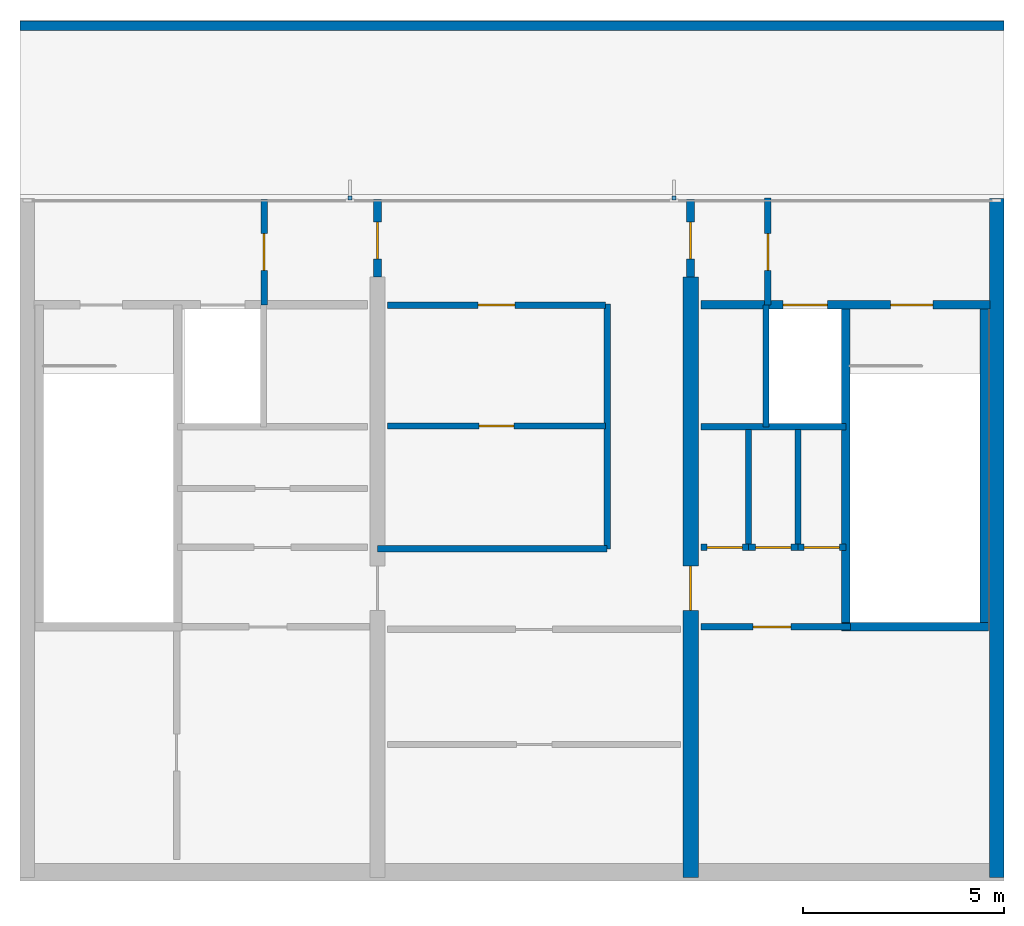
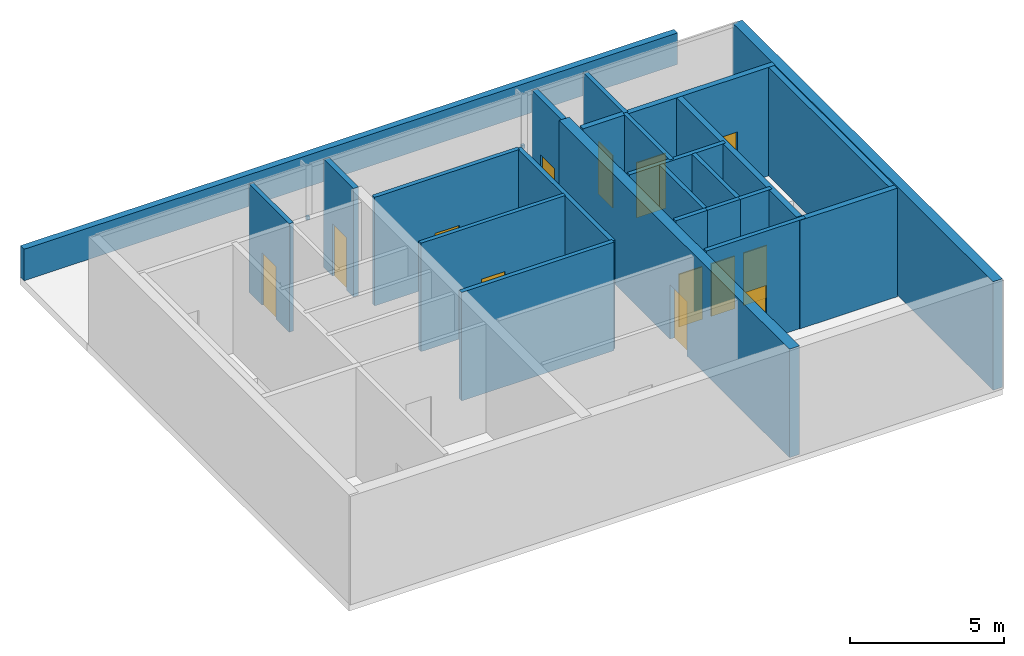
# One storey, part 2 of 3: 23 walls, 13 doors, 2 discrete accessories, 13 openings.
"""IFC4 building model written with IfcOpenShell, lengths in metres."""

from ifc_helpers import new_model, si_unit, direction, frame, frame_2d, origin, place, context, subcontext, project, spatial, polyline, rectangle, outline, extrude, material, layer, layer_set, type_object, element, fill, save


model = new_model("IFC4")

# Units and contexts
model_context = context("Model", 3, precision=1e-05, world=origin(), true_north=direction((0.0, 1.0)))
body_context = subcontext(model_context, "Body", "Model", "MODEL_VIEW")
ifc_project = project(units=[si_unit("LENGTHUNIT", "METRE"), si_unit("AREAUNIT", "SQUARE_METRE"), si_unit("VOLUMEUNIT", "CUBIC_METRE"), si_unit("PLANEANGLEUNIT", "RADIAN"), si_unit("MASSUNIT", "GRAM", prefix="KILO")], contexts=[model_context])

# Site, building, storey
site_placement = place(None, origin())
site = spatial("IfcSite", under=ifc_project, at=site_placement, CompositionType="ELEMENT")
building_placement = place(site_placement, origin())
building = spatial("IfcBuilding", under=site, at=building_placement, Name="Qalmaran Belvedere Hotel", CompositionType="ELEMENT")
storey_placement = place(building_placement, frame((0.0, 0.0, 317.10009765625)))
storey = spatial("IfcBuildingStorey", under=building, at=storey_placement, Name="C05", CompositionType="ELEMENT", Elevation=317.10009765625)

# Wall, opening, door
ifc_material_1 = material(Name="Concrete C50/60", Category="concrete")
ifc_layer_1 = layer(ifc_material_1, 0.3798828125, Name="Concrete C50/60")
ifc_layer_set_1 = layer_set([ifc_layer_1], Name="Concrete C50/60")
wall_type_1 = type_object("IfcWallType", Name="WL-CORE-380-C50", PredefinedType="SHEAR", material=ifc_layer_set_1)
wall_1_placement = place(storey_placement, frame((37.0, 3.5, 0.0), z_axis=(0.0, 0.0, 1.0), x_axis=(0.0, 1.0, 0.0)))
wall_1 = element("IfcWall", 1, at=wall_1_placement, inside=storey, type_object=wall_type_1, Name="C05 Core East Spine Shear Wall", PredefinedType="SHEAR", context=body_context, shape_type="SweptSolid", body=[
    extrude(rectangle(XDim=14.949951171875, YDim=0.3798828125, at=frame_2d((7.47509765625, 0.0))), origin(), (0.0, 0.0, 1.0), 4.2998046875),
])
opening_1_placement = place(wall_1_placement, frame((6.64990234375, 0.0, 0.0)))
opening_1 = element("IfcOpeningElement", 2, at=opening_1_placement, cuts=wall_1, Name="Opening FD90", PredefinedType="OPENING", context=body_context, shape_type="SweptSolid", body=[
    extrude(rectangle(XDim=1.10009765625, YDim=2.14990234375, at=frame_2d((0.550048828125, 1.074951171875))), frame((0.0, 0.199951171875, 0.0), z_axis=(0.0, -1.0, 0.0), x_axis=(1.0, 0.0, 0.0)), (0.0, 0.0, 1.0), 0.39990234375),
])
ifc_material_2 = material(Name="Steel S355JR", Category="steel")
door_type_1 = type_object("IfcDoorType", Name="DR-FD90-1100X2150", OperationType="NOTDEFINED", PredefinedType="DOOR", material=ifc_material_2)
door_1_placement = place(opening_1_placement, origin())
door_1 = element("IfcDoor", 3, at=door_1_placement, inside=storey, type_object=door_type_1, Name="C05 Core East Cross-Lobby Door", OperationType="SINGLE_SWING_RIGHT", OverallHeight=2.14990234375, OverallWidth=1.10009765625, PredefinedType="DOOR", context=body_context, shape_type="SweptSolid", body=[
    extrude(rectangle(XDim=1.10009765625, YDim=2.14990234375, at=frame_2d((0.550048828125, 1.074951171875))), frame((0.0, 0.02490234375, 0.0), z_axis=(0.0, -1.0, 0.0), x_axis=(1.0, 0.0, 0.0)), (0.0, 0.0, 1.0), 0.050048828125),
])
fill(opening_1, door_1)

# Walls
ifc_layer_2 = layer(ifc_material_1, 0.360107421875, Name="Concrete C50/60")
ifc_layer_set_2 = layer_set([ifc_layer_2], Name="Concrete C50/60")
wall_type_2 = type_object("IfcWallType", Name="WL-COREWE-360-EXT", PredefinedType="SHEAR", material=ifc_layer_set_2)
wall_2_placement = place(storey_placement, frame((44.6201171875, 3.5, 0.0), z_axis=(0.0, 0.0, 1.0), x_axis=(0.0, 1.0, 0.0)))
element("IfcWall", 4, at=wall_2_placement, inside=storey, type_object=wall_type_2, Name="C05 East Core Shear Wall", PredefinedType="SHEAR", context=body_context, shape_type="SweptSolid", body=[
    extrude(rectangle(XDim=16.89990234375, YDim=0.360107421875, at=frame_2d((8.449951171875, 0.0))), origin(), (0.0, 0.0, 1.0), 4.2998046875),
])
ifc_material_3 = material(Name="Gypsum Stud Partition")
ifc_layer_3 = layer(ifc_material_3, 0.14990234375, Name="Gypsum Stud Partition")
ifc_layer_set_3 = layer_set([ifc_layer_3], Name="Gypsum Stud Partition")
wall_type_3 = type_object("IfcWallType", Name="WL-INT-150-EI120", PredefinedType="PARTITIONING", material=ifc_layer_set_3)
wall_3_placement = place(storey_placement, frame((38.8798828125, 14.719970703125, 0.0), z_axis=(0.0, 0.0, 1.0), x_axis=(0.0, 1.0, 0.0)))
element("IfcWall", 5, at=wall_3_placement, inside=storey, type_object=wall_type_3, Name="C05 Partition WL-FF2M-C05", PredefinedType="PARTITIONING", context=body_context, shape_type="SweptSolid", body=[
    extrude(rectangle(XDim=3.0400390625, YDim=0.14990234375, at=frame_2d((1.52001953125, 0.0))), origin(), (0.0, 0.0, 1.0), 4.2998046875),
])
ifc_layer_4 = layer(ifc_material_3, 0.14990234375, Name="Gypsum Stud Partition")
ifc_layer_set_4 = layer_set([ifc_layer_4], Name="Gypsum Stud Partition")
wall_type_4 = type_object("IfcWallType", Name="WL-INT-150-EI60", PredefinedType="PARTITIONING", material=ifc_layer_set_4)
for number, where, z_axis, x_axis, name in (
    (6, (38.44140625, 11.719970703125, 0.0), (0.0, 0.0, 1.0), (0.0, 1.0, 0.0), "C05 Partition WL-C05-KEV1"),
    (7, (39.668701171875, 11.719970703125, 0.0), (0.0, 0.0, 1.0), (0.0, 1.0, 0.0), "C05 Partition WL-C05-KEV2"),
):
    element("IfcWall", number, at=place(storey_placement, frame(where, z_axis=z_axis, x_axis=x_axis)), inside=storey, type_object=wall_type_4, Name=name, PredefinedType="PARTITIONING", context=body_context, shape_type="SweptSolid", body=[
        extrude(rectangle(XDim=2.929931640625, YDim=0.14990234375, at=frame_2d((1.46484375, 0.0))), origin(), (0.0, 0.0, 1.0), 4.2998046875),
    ])

# Wall, opening, door
wall_4_placement = place(storey_placement, frame((29.449951171875, 14.7451171875, 0.0), z_axis=(0.0, 0.0, 1.0), x_axis=(1.0, 0.0, 0.0)))
wall_4 = element("IfcWall", 8, at=wall_4_placement, inside=storey, type_object=wall_type_4, Name="C05 Partition WL-C05-KPMHM", PredefinedType="PARTITIONING", context=body_context, shape_type="SweptSolid", body=[
    extrude(rectangle(XDim=5.429931640625, YDim=0.14990234375, at=frame_2d((2.71484375, 0.0))), origin(), (0.0, 0.0, 1.0), 4.2998046875),
])
opening_2_placement = place(wall_4_placement, frame((3.15478515625, 0.0, 0.0), z_axis=(0.0, 0.0, 1.0), x_axis=(-1.0, 0.0, 0.0)))
opening_2 = element("IfcOpeningElement", 9, at=opening_2_placement, cuts=wall_4, Name="Opening FD60B", PredefinedType="OPENING", context=body_context, shape_type="SweptSolid", body=[
    extrude(rectangle(XDim=0.8798828125, YDim=2.080078125, at=frame_2d((0.43994140625, 1.0400390625))), frame((0.0, 0.0849609375, 0.0), z_axis=(0.0, -1.0, 0.0), x_axis=(1.0, 0.0, 0.0)), (0.0, 0.0, 1.0), 0.169921875),
])
door_type_2 = type_object("IfcDoorType", Name="DR-FD60B-880X2080", OperationType="NOTDEFINED", PredefinedType="DOOR", material=ifc_material_2)
door_2_placement = place(opening_2_placement, origin())
door_2 = element("IfcDoor", 10, at=door_2_placement, inside=storey, type_object=door_type_2, Name="C05 Telecom UPS Plant Room Door", OperationType="SINGLE_SWING_RIGHT", OverallHeight=2.080078125, OverallWidth=0.8798828125, PredefinedType="DOOR", context=body_context, shape_type="SweptSolid", body=[
    extrude(rectangle(XDim=0.8798828125, YDim=2.080078125, at=frame_2d((0.43994140625, 1.0400390625))), frame((0.0, 0.02490234375, 0.0), z_axis=(0.0, -1.0, 0.0), x_axis=(1.0, 0.0, 0.0)), (0.0, 0.0, 1.0), 0.050048828125),
])
fill(opening_2, door_2)

ifc_layer_5 = layer(ifc_material_3, 0.159912109375, Name="Gypsum Stud Partition")
ifc_layer_set_5 = layer_set([ifc_layer_5], Name="Gypsum Stud Partition")
wall_type_5 = type_object("IfcWallType", Name="WL-INT-160-EI120", PredefinedType="PARTITIONING", material=ifc_layer_set_5)
wall_5_placement = place(storey_placement, frame((38.919921875, 17.760009765625, 0.0), z_axis=(0.0, 0.0, 1.0), x_axis=(0.0, 1.0, 0.0)))
wall_5 = element("IfcWall", 11, at=wall_5_placement, inside=storey, type_object=wall_type_5, Name="C05 Partition WL-FFSV2-C05", PredefinedType="PARTITIONING", context=body_context, shape_type="SweptSolid", body=[
    extrude(rectangle(XDim=2.659912109375, YDim=0.159912109375, at=frame_2d((1.330078125, 0.0))), origin(), (0.0, 0.0, 1.0), 4.2998046875),
])
opening_3_placement = place(wall_5_placement, frame((1.77001953125, 0.0, 0.0), z_axis=(0.0, 0.0, 1.0), x_axis=(-1.0, 0.0, 0.0)))
opening_3 = element("IfcOpeningElement", 12, at=opening_3_placement, cuts=wall_5, Name="Opening FD60S1", PredefinedType="OPENING", context=body_context, shape_type="SweptSolid", body=[
    extrude(rectangle(XDim=0.919921875, YDim=2.080078125, at=frame_2d((0.4599609375, 1.0400390625))), frame((0.0, 0.08984375, 0.0), z_axis=(0.0, -1.0, 0.0), x_axis=(1.0, 0.0, 0.0)), (0.0, 0.0, 1.0), 0.179931640625),
])
ifc_material_4 = material(Name="Engineered Oak Veneer")
door_type_3 = type_object("IfcDoorType", Name="DR-FD60S-920X2080", OperationType="NOTDEFINED", PredefinedType="DOOR", material=ifc_material_4)
door_3_placement = place(opening_3_placement, origin())
door_3 = element("IfcDoor", 13, at=door_3_placement, inside=storey, type_object=door_type_3, Name="C05 Service Lobby East Door", OperationType="SINGLE_SWING_LEFT", OverallHeight=2.080078125, OverallWidth=0.919921875, PredefinedType="DOOR", context=body_context, shape_type="SweptSolid", body=[
    extrude(rectangle(XDim=0.919921875, YDim=2.080078125, at=frame_2d((0.4599609375, 1.0400390625))), frame((0.0, 0.02490234375, 0.0), z_axis=(0.0, -1.0, 0.0), x_axis=(1.0, 0.0, 0.0)), (0.0, 0.0, 1.0), 0.050048828125),
])
fill(opening_3, door_3)

# Wall
wall_6_placement = place(storey_placement, frame((37.25, 14.719970703125, 0.0), z_axis=(0.0, 0.0, 1.0), x_axis=(1.0, 0.0, 0.0)))
element("IfcWall", 14, at=wall_6_placement, inside=storey, type_object=wall_type_5, Name="C05 Partition WL-FF2S-C05", PredefinedType="PARTITIONING", context=body_context, shape_type="SweptSolid", body=[
    extrude(rectangle(XDim=3.610107421875, YDim=0.159912109375, at=frame_2d((1.80517578125, 0.0))), origin(), (0.0, 0.0, 1.0), 4.2998046875),
])

# Wall, opening, door
wall_7_placement = place(storey_placement, frame((26.3798828125, 17.760009765625, 0.0), z_axis=(0.0, 0.0, 1.0), x_axis=(0.0, 1.0, 0.0)))
wall_7 = element("IfcWall", 15, at=wall_7_placement, inside=storey, type_object=wall_type_5, Name="C05 Partition WL-C05-SV1FF", PredefinedType="PARTITIONING", context=body_context, shape_type="SweptSolid", body=[
    extrude(rectangle(XDim=2.619873046875, YDim=0.159912109375, at=frame_2d((1.31005859375, 0.0))), origin(), (0.0, 0.0, 1.0), 4.2998046875),
])
opening_4_placement = place(wall_7_placement, frame((0.85009765625, 0.0, 0.0)))
opening_4 = element("IfcOpeningElement", 16, at=opening_4_placement, cuts=wall_7, Name="Opening FD60S1", PredefinedType="OPENING", context=body_context, shape_type="SweptSolid", body=[
    extrude(rectangle(XDim=0.919921875, YDim=2.080078125, at=frame_2d((0.4599609375, 1.0400390625))), frame((0.0, 0.08984375, 0.0), z_axis=(0.0, -1.0, 0.0), x_axis=(1.0, 0.0, 0.0)), (0.0, 0.0, 1.0), 0.179931640625),
])
door_4_placement = place(opening_4_placement, origin())
door_4 = element("IfcDoor", 17, at=door_4_placement, inside=storey, type_object=door_type_3, Name="C05 West Service Link Door", OperationType="SINGLE_SWING_RIGHT", OverallHeight=2.080078125, OverallWidth=0.919921875, PredefinedType="DOOR", context=body_context, shape_type="SweptSolid", body=[
    extrude(rectangle(XDim=0.919921875, YDim=2.080078125, at=frame_2d((0.4599609375, 1.0400390625))), frame((0.0, 0.02490234375, 0.0), z_axis=(0.0, -1.0, 0.0), x_axis=(1.0, 0.0, 0.0)), (0.0, 0.0, 1.0), 0.050048828125),
])
fill(opening_4, door_4)

ifc_layer_6 = layer(ifc_material_3, 0.159912109375, Name="Gypsum Stud Partition")
ifc_layer_set_6 = layer_set([ifc_layer_6], Name="Gypsum Stud Partition")
wall_type_6 = type_object("IfcWallType", Name="WL-INT-160-EI60", PredefinedType="PARTITIONING", material=ifc_layer_set_6)
wall_8_placement = place(storey_placement, frame((37.25, 11.719970703125, 0.0), z_axis=(0.0, 0.0, 1.0), x_axis=(1.0, 0.0, 0.0)))
wall_8 = element("IfcWall", 18, at=wall_8_placement, inside=storey, type_object=wall_type_6, Name="C05 Partition WL-C05-KEE1", PredefinedType="PARTITIONING", context=body_context, shape_type="SweptSolid", body=[
    extrude(rectangle(XDim=1.19140625, YDim=0.159912109375, at=frame_2d((0.595703125, 0.0))), origin(), (0.0, 0.0, 1.0), 4.2998046875),
])
opening_5_placement = place(wall_8_placement, frame((0.155517578125, 0.0, 0.0)))
opening_5 = element("IfcOpeningElement", 19, at=opening_5_placement, cuts=wall_8, Name="Opening FD60B", PredefinedType="OPENING", context=body_context, shape_type="SweptSolid", body=[
    extrude(rectangle(XDim=0.8798828125, YDim=2.080078125, at=frame_2d((0.43994140625, 1.0400390625))), frame((0.0, 0.08984375, 0.0), z_axis=(0.0, -1.0, 0.0), x_axis=(1.0, 0.0, 0.0)), (0.0, 0.0, 1.0), 0.179931640625),
])
door_5_placement = place(opening_5_placement, origin())
door_5 = element("IfcDoor", 20, at=door_5_placement, inside=storey, type_object=door_type_2, Name="C05 Fire Main Valve Plant Room Door", OperationType="SINGLE_SWING_LEFT", OverallHeight=2.080078125, OverallWidth=0.8798828125, PredefinedType="DOOR", context=body_context, shape_type="SweptSolid", body=[
    extrude(rectangle(XDim=0.8798828125, YDim=2.080078125, at=frame_2d((0.43994140625, 1.0400390625))), frame((0.0, 0.02490234375, 0.0), z_axis=(0.0, -1.0, 0.0), x_axis=(1.0, 0.0, 0.0)), (0.0, 0.0, 1.0), 0.050048828125),
])
fill(opening_5, door_5)

wall_9_placement = place(storey_placement, frame((38.44140625, 11.719970703125, 0.0), z_axis=(0.0, 0.0, 1.0), x_axis=(1.0, 0.0, 0.0)))
wall_9 = element("IfcWall", 21, at=wall_9_placement, inside=storey, type_object=wall_type_6, Name="C05 Partition WL-C05-KEE2", PredefinedType="PARTITIONING", context=body_context, shape_type="SweptSolid", body=[
    extrude(rectangle(XDim=1.227294921875, YDim=0.159912109375, at=frame_2d((0.61376953125, 0.0))), origin(), (0.0, 0.0, 1.0), 4.2998046875),
])
opening_6_placement = place(wall_9_placement, frame((0.173583984375, 0.0, 0.0)))
opening_6 = element("IfcOpeningElement", 22, at=opening_6_placement, cuts=wall_9, Name="Opening FD60B", PredefinedType="OPENING", context=body_context, shape_type="SweptSolid", body=[
    extrude(rectangle(XDim=0.8798828125, YDim=2.080078125, at=frame_2d((0.43994140625, 1.0400390625))), frame((0.0, 0.08984375, 0.0), z_axis=(0.0, -1.0, 0.0), x_axis=(1.0, 0.0, 0.0)), (0.0, 0.0, 1.0), 0.179931640625),
])
door_6_placement = place(opening_6_placement, origin())
door_6 = element("IfcDoor", 23, at=door_6_placement, inside=storey, type_object=door_type_2, Name="C05 Smoke Control Plant Room Door", OperationType="SINGLE_SWING_RIGHT", OverallHeight=2.080078125, OverallWidth=0.8798828125, PredefinedType="DOOR", context=body_context, shape_type="SweptSolid", body=[
    extrude(rectangle(XDim=0.8798828125, YDim=2.080078125, at=frame_2d((0.43994140625, 1.0400390625))), frame((0.0, 0.02490234375, 0.0), z_axis=(0.0, -1.0, 0.0), x_axis=(1.0, 0.0, 0.0)), (0.0, 0.0, 1.0), 0.050048828125),
])
fill(opening_6, door_6)

wall_10_placement = place(storey_placement, frame((39.668701171875, 11.719970703125, 0.0), z_axis=(0.0, 0.0, 1.0), x_axis=(1.0, 0.0, 0.0)))
wall_10 = element("IfcWall", 24, at=wall_10_placement, inside=storey, type_object=wall_type_6, Name="C05 Partition WL-C05-KEE3", PredefinedType="PARTITIONING", context=body_context, shape_type="SweptSolid", body=[
    extrude(rectangle(XDim=1.19140625, YDim=0.159912109375, at=frame_2d((0.595703125, 0.0))), origin(), (0.0, 0.0, 1.0), 4.2998046875),
])
opening_7_placement = place(wall_10_placement, frame((0.155517578125, 0.0, 0.0)))
opening_7 = element("IfcOpeningElement", 25, at=opening_7_placement, cuts=wall_10, Name="Opening FD60B", PredefinedType="OPENING", context=body_context, shape_type="SweptSolid", body=[
    extrude(rectangle(XDim=0.8798828125, YDim=2.080078125, at=frame_2d((0.43994140625, 1.0400390625))), frame((0.0, 0.08984375, 0.0), z_axis=(0.0, -1.0, 0.0), x_axis=(1.0, 0.0, 0.0)), (0.0, 0.0, 1.0), 0.179931640625),
])
door_7_placement = place(opening_7_placement, origin())
door_7 = element("IfcDoor", 26, at=door_7_placement, inside=storey, type_object=door_type_2, Name="C05 Low Voltage Switch Plant Room Door", OperationType="SINGLE_SWING_LEFT", OverallHeight=2.080078125, OverallWidth=0.8798828125, PredefinedType="DOOR", context=body_context, shape_type="SweptSolid", body=[
    extrude(rectangle(XDim=0.8798828125, YDim=2.080078125, at=frame_2d((0.43994140625, 1.0400390625))), frame((0.0, 0.02490234375, 0.0), z_axis=(0.0, -1.0, 0.0), x_axis=(1.0, 0.0, 0.0)), (0.0, 0.0, 1.0), 0.050048828125),
])
fill(opening_7, door_7)

wall_11_placement = place(storey_placement, frame((37.25, 9.739990234375, 0.0), z_axis=(0.0, 0.0, 1.0), x_axis=(1.0, 0.0, 0.0)))
wall_11 = element("IfcWall", 27, at=wall_11_placement, inside=storey, type_object=wall_type_6, Name="C05 Partition WL-PHFR-C05", PredefinedType="PARTITIONING", context=body_context, shape_type="SweptSolid", body=[
    extrude(rectangle(XDim=3.72998046875, YDim=0.159912109375, at=frame_2d((1.864990234375, 0.0))), origin(), (0.0, 0.0, 1.0), 4.2998046875),
])
opening_8_placement = place(wall_11_placement, frame((2.25, 0.0, 0.0), z_axis=(0.0, 0.0, 1.0), x_axis=(-1.0, 0.0, 0.0)))
opening_8 = element("IfcOpeningElement", 28, at=opening_8_placement, cuts=wall_11, Name="Opening FD60", PredefinedType="OPENING", context=body_context, shape_type="SweptSolid", body=[
    extrude(rectangle(XDim=0.949951171875, YDim=2.14990234375, at=frame_2d((0.47509765625, 1.074951171875))), frame((0.0, 0.08984375, 0.0), z_axis=(0.0, -1.0, 0.0), x_axis=(1.0, 0.0, 0.0)), (0.0, 0.0, 1.0), 0.179931640625),
])
door_type_4 = type_object("IfcDoorType", Name="DR-FD60-950X2150", OperationType="NOTDEFINED", PredefinedType="DOOR", material=ifc_material_4)
door_8_placement = place(opening_8_placement, origin())
door_8 = element("IfcDoor", 29, at=door_8_placement, inside=storey, type_object=door_type_4, Name="C05 Freed PH Room Door", OperationType="SINGLE_SWING_RIGHT", OverallHeight=2.14990234375, OverallWidth=0.949951171875, PredefinedType="DOOR", context=body_context, shape_type="SweptSolid", body=[
    extrude(rectangle(XDim=0.949951171875, YDim=2.14990234375, at=frame_2d((0.47509765625, 1.074951171875))), frame((0.0, 0.02490234375, 0.0), z_axis=(0.0, -1.0, 0.0), x_axis=(1.0, 0.0, 0.0)), (0.0, 0.0, 1.0), 0.050048828125),
])
fill(opening_8, door_8)

# Walls
wall_12_placement = place(storey_placement, frame((34.919921875, 11.679931640625, 0.0), z_axis=(0.0, 0.0, 1.0), x_axis=(0.0, 1.0, 0.0)))
element("IfcWall", 30, at=wall_12_placement, inside=storey, type_object=wall_type_6, Name="C05 Partition WL-CLLV-C05", PredefinedType="PARTITIONING", context=body_context, shape_type="SweptSolid", body=[
    extrude(rectangle(XDim=6.10009765625, YDim=0.159912109375, at=frame_2d((3.050048828125, 0.0))), origin(), (0.0, 0.0, 1.0), 4.2998046875),
])
wall_13_placement = place(storey_placement, frame((29.199951171875, 11.679931640625, 0.0), z_axis=(0.0, 0.0, 1.0), x_axis=(1.0, 0.0, 0.0)))
element("IfcWall", 31, at=wall_13_placement, inside=storey, type_object=wall_type_6, Name="C05 Partition WL-PMFS-C05", PredefinedType="PARTITIONING", context=body_context, shape_type="SweptSolid", body=[
    extrude(rectangle(XDim=5.719970703125, YDim=0.159912109375, at=frame_2d((2.85986328125, 0.0))), origin(), (0.0, 0.0, 1.0), 4.2998046875),
])

# Wall, opening, door
wall_14_placement = place(storey_placement, frame((29.449951171875, 17.75, 0.0), z_axis=(0.0, 0.0, 1.0), x_axis=(1.0, 0.0, 0.0)))
wall_14 = element("IfcWall", 32, at=wall_14_placement, inside=storey, type_object=wall_type_6, Name="C05 Partition WL-C05-KPME1", PredefinedType="PARTITIONING", context=body_context, shape_type="SweptSolid", body=[
    extrude(rectangle(XDim=5.429931640625, YDim=0.159912109375, at=frame_2d((2.71484375, 0.0))), origin(), (0.0, 0.0, 1.0), 4.2998046875),
])
opening_9_placement = place(wall_14_placement, frame((3.1748046875, 0.0, 0.0), z_axis=(0.0, 0.0, 1.0), x_axis=(-1.0, 0.0, 0.0)))
opening_9 = element("IfcOpeningElement", 33, at=opening_9_placement, cuts=wall_14, Name="Opening FD60S1", PredefinedType="OPENING", context=body_context, shape_type="SweptSolid", body=[
    extrude(rectangle(XDim=0.919921875, YDim=2.080078125, at=frame_2d((0.4599609375, 1.0400390625))), frame((0.0, 0.08984375, 0.0), z_axis=(0.0, -1.0, 0.0), x_axis=(1.0, 0.0, 0.0)), (0.0, 0.0, 1.0), 0.179931640625),
])
door_9_placement = place(opening_9_placement, origin())
door_9 = element("IfcDoor", 34, at=door_9_placement, inside=storey, type_object=door_type_3, Name="C05 Auxiliary Fan Plant Room Door", OperationType="SINGLE_SWING_LEFT", OverallHeight=2.080078125, OverallWidth=0.919921875, PredefinedType="DOOR", context=body_context, shape_type="SweptSolid", body=[
    extrude(rectangle(XDim=0.919921875, YDim=2.080078125, at=frame_2d((0.4599609375, 1.0400390625))), frame((0.0, 0.02490234375, 0.0), z_axis=(0.0, -1.0, 0.0), x_axis=(1.0, 0.0, 0.0)), (0.0, 0.0, 1.0), 0.050048828125),
])
fill(opening_9, door_9)

ifc_material_5 = material(Name="Concrete C30/37 Blockwork", Category="masonry")
ifc_layer_7 = layer(ifc_material_5, 0.199951171875, Name="Concrete C30/37 Blockwork")
ifc_layer_set_7 = layer_set([ifc_layer_7], Name="Concrete C30/37 Blockwork")
wall_type_7 = type_object("IfcWallType", Name="WL-INT-200-EI120", PredefinedType="PARTITIONING", material=ifc_layer_set_7)
wall_15_placement = place(storey_placement, frame((29.199951171875, 18.449951171875, 0.0), z_axis=(0.0, 0.0, 1.0), x_axis=(0.0, 1.0, 0.0)))
wall_15 = element("IfcWall", 35, at=wall_15_placement, inside=storey, type_object=wall_type_7, Name="C05 Partition WL-C05-M1N", PredefinedType="PARTITIONING", context=body_context, shape_type="SweptSolid", body=[
    extrude(rectangle(XDim=1.929931640625, YDim=0.199951171875, at=frame_2d((0.96484375, 0.0))), origin(), (0.0, 0.0, 1.0), 4.2998046875),
])
opening_10_placement = place(wall_15_placement, frame((1.369873046875, 0.0, 0.0), z_axis=(0.0, 0.0, 1.0), x_axis=(-1.0, 0.0, 0.0)))
opening_10 = element("IfcOpeningElement", 36, at=opening_10_placement, cuts=wall_15, Name="Opening FD60S1", PredefinedType="OPENING", context=body_context, shape_type="SweptSolid", body=[
    extrude(rectangle(XDim=0.919921875, YDim=2.080078125, at=frame_2d((0.4599609375, 1.0400390625))), frame((0.0, 0.10986328125, 0.0), z_axis=(0.0, -1.0, 0.0), x_axis=(1.0, 0.0, 0.0)), (0.0, 0.0, 1.0), 0.219970703125),
])
door_10_placement = place(opening_10_placement, origin())
door_10 = element("IfcDoor", 37, at=door_10_placement, inside=storey, type_object=door_type_3, Name="C05 West Lobby Link Door", OperationType="SINGLE_SWING_LEFT", OverallHeight=2.080078125, OverallWidth=0.919921875, PredefinedType="DOOR", context=body_context, shape_type="SweptSolid", body=[
    extrude(rectangle(XDim=0.919921875, YDim=2.080078125, at=frame_2d((0.4599609375, 1.0400390625))), frame((0.0, 0.02490234375, 0.0), z_axis=(0.0, -1.0, 0.0), x_axis=(1.0, 0.0, 0.0)), (0.0, 0.0, 1.0), 0.050048828125),
])
fill(opening_10, door_10)

wall_16_placement = place(storey_placement, frame((37.0, 18.449951171875, 0.0), z_axis=(0.0, 0.0, 1.0), x_axis=(0.0, 1.0, 0.0)))
wall_16 = element("IfcWall", 38, at=wall_16_placement, inside=storey, type_object=wall_type_7, Name="C05 Partition WL-C05-M2N", PredefinedType="PARTITIONING", context=body_context, shape_type="SweptSolid", body=[
    extrude(rectangle(XDim=1.929931640625, YDim=0.199951171875, at=frame_2d((0.96484375, 0.0))), origin(), (0.0, 0.0, 1.0), 4.2998046875),
])
opening_11_placement = place(wall_16_placement, frame((0.449951171875, 0.0, 0.0)))
opening_11 = element("IfcOpeningElement", 39, at=opening_11_placement, cuts=wall_16, Name="Opening FD60S1", PredefinedType="OPENING", context=body_context, shape_type="SweptSolid", body=[
    extrude(rectangle(XDim=0.919921875, YDim=2.080078125, at=frame_2d((0.4599609375, 1.0400390625))), frame((0.0, 0.10986328125, 0.0), z_axis=(0.0, -1.0, 0.0), x_axis=(1.0, 0.0, 0.0)), (0.0, 0.0, 1.0), 0.219970703125),
])
door_11_placement = place(opening_11_placement, origin())
door_11 = element("IfcDoor", 40, at=door_11_placement, inside=storey, type_object=door_type_3, Name="C05 East Lobby Link Door", OperationType="SINGLE_SWING_RIGHT", OverallHeight=2.080078125, OverallWidth=0.919921875, PredefinedType="DOOR", context=body_context, shape_type="SweptSolid", body=[
    extrude(rectangle(XDim=0.919921875, YDim=2.080078125, at=frame_2d((0.4599609375, 1.0400390625))), frame((0.0, 0.02490234375, 0.0), z_axis=(0.0, -1.0, 0.0), x_axis=(1.0, 0.0, 0.0)), (0.0, 0.0, 1.0), 0.050048828125),
])
fill(opening_11, door_11)

# Walls
ifc_material_6 = material(Name="Concrete C40/50", Category="concrete")
ifc_layer_8 = layer(ifc_material_6, 0.239990234375, Name="Concrete C40/50")
ifc_layer_set_8 = layer_set([ifc_layer_8], Name="Concrete C40/50")
wall_type_8 = type_object("IfcWallType", Name="WL-PARAPET-240", PredefinedType="PARAPET", material=ifc_layer_set_8)
wall_17_placement = place(storey_placement, frame((44.800048828125, 24.7099609375, 0.0), z_axis=(0.0, 0.0, 1.0), x_axis=(-1.0, 0.0, 0.0)))
element("IfcWall", 41, at=wall_17_placement, inside=storey, type_object=wall_type_8, Name="C05 Roof Parapet 3", PredefinedType="PARAPET", context=body_context, shape_type="SweptSolid", body=[
    extrude(rectangle(XDim=24.5, YDim=0.239990234375, at=frame_2d((12.25, 0.0))), origin(), (0.0, 0.0, 1.0), 1.25),
])
ifc_layer_9 = layer(ifc_material_1, 0.2099609375, Name="Concrete C50/60")
ifc_layer_set_9 = layer_set([ifc_layer_9], Name="Concrete C50/60")
wall_type_9 = type_object("IfcWallType", Name="WL-STAIR-210-C50", PredefinedType="SHEAR", material=ifc_layer_set_9)
for number, where, z_axis, x_axis, name in (
    (42, (40.85498046875, 9.7451171875, 0.0), (0.0, 0.0, 1.0), (0.0, 1.0, 0.0), "C05 Stair ST-2 West Bearing Wall"),
    (43, (44.304931640625, 9.7451171875, 0.0), (0.0, 0.0, 1.0), (0.0, 1.0, 0.0), "C05 Stair ST-2 East Bearing Wall"),
):
    element("IfcWall", number, at=place(storey_placement, frame(where, z_axis=z_axis, x_axis=x_axis)), inside=storey, type_object=wall_type_9, Name=name, PredefinedType="SHEAR", context=body_context, shape_type="SweptSolid", body=[
        extrude(rectangle(XDim=8.009765625, YDim=0.2099609375, at=frame_2d((4.0048828125, 0.0))), origin(), (0.0, 0.0, 1.0), 4.2998046875),
    ])
wall_18_placement = place(storey_placement, frame((40.75, 9.7451171875, 0.0), z_axis=(0.0, 0.0, 1.0), x_axis=(1.0, 0.0, 0.0)))
element("IfcWall", 44, at=wall_18_placement, inside=storey, type_object=wall_type_9, Name="C05 Stair ST-2 South Bearing Wall", PredefinedType="SHEAR", context=body_context, shape_type="SweptSolid", body=[
    extrude(rectangle(XDim=3.659912109375, YDim=0.2099609375, at=frame_2d((1.830078125, 0.0))), origin(), (0.0, 0.0, 1.0), 4.2998046875),
])

# Wall, openings, doors
wall_19_placement = place(storey_placement, frame((37.25, 17.7548828125, 0.0), z_axis=(0.0, 0.0, 1.0), x_axis=(1.0, 0.0, 0.0)))
wall_19 = element("IfcWall", 45, at=wall_19_placement, inside=storey, type_object=wall_type_9, Name="C05 East Lobby and Stair ST-2 North Bearing Wall", PredefinedType="SHEAR", context=body_context, shape_type="SweptSolid", body=[
    extrude(rectangle(XDim=7.199951171875, YDim=0.2099609375, at=frame_2d((3.60009765625, 0.0))), origin(), (0.0, 0.0, 1.0), 4.2998046875),
])
opening_12_placement = place(wall_19_placement, frame((2.050048828125, 0.0, 0.0)))
opening_12 = element("IfcOpeningElement", 46, at=opening_12_placement, cuts=wall_19, Name="Opening LD-FF", PredefinedType="OPENING", context=body_context, shape_type="SweptSolid", body=[
    extrude(rectangle(XDim=1.10009765625, YDim=2.179931640625, at=frame_2d((0.550048828125, 1.08984375))), frame((0.0, 0.114990234375, 0.0), z_axis=(0.0, -1.0, 0.0), x_axis=(1.0, 0.0, 0.0)), (0.0, 0.0, 1.0), 0.22998046875),
])
opening_13_placement = place(wall_19_placement, frame((5.780029296875, 0.0, 0.0), z_axis=(0.0, 0.0, 1.0), x_axis=(-1.0, 0.0, 0.0)))
opening_13 = element("IfcOpeningElement", 47, at=opening_13_placement, cuts=wall_19, Name="Opening FD90S2", PredefinedType="OPENING", context=body_context, shape_type="SweptSolid", body=[
    extrude(rectangle(XDim=1.050048828125, YDim=2.14990234375, at=frame_2d((0.52490234375, 1.074951171875))), frame((0.0, 0.114990234375, 0.0), z_axis=(0.0, -1.0, 0.0), x_axis=(1.0, 0.0, 0.0)), (0.0, 0.0, 1.0), 0.22998046875),
])
door_type_5 = type_object("IfcDoorType", Name="DR-FD90S-1050X2150", OperationType="NOTDEFINED", PredefinedType="DOOR", material=ifc_material_2)
door_12_placement = place(opening_13_placement, origin())
door_12 = element("IfcDoor", 48, at=door_12_placement, inside=storey, type_object=door_type_5, Name="C05 Stair ST-2 Door", OperationType="SINGLE_SWING_RIGHT", OverallHeight=2.14990234375, OverallWidth=1.050048828125, PredefinedType="DOOR", context=body_context, shape_type="SweptSolid", body=[
    extrude(rectangle(XDim=1.050048828125, YDim=2.14990234375, at=frame_2d((0.52490234375, 1.074951171875))), frame((0.0, 0.02490234375, 0.0), z_axis=(0.0, -1.0, 0.0), x_axis=(1.0, 0.0, 0.0)), (0.0, 0.0, 1.0), 0.050048828125),
])
fill(opening_13, door_12)
ifc_material_7 = material(Name="Stainless Steel 1.4401", Category="steel")
door_type_6 = type_object("IfcDoorType", Name="DR-LIFT-FF-1100X2180", OperationType="DOUBLE_DOOR_SLIDING", PredefinedType="DOOR", material=ifc_material_7)
door_13_placement = place(opening_12_placement, origin())
door_13 = element("IfcDoor", 49, at=door_13_placement, inside=storey, type_object=door_type_6, Name="C05 FF2 Lift Landing Door", OperationType="DOUBLE_DOOR_SLIDING", OverallHeight=2.179931640625, OverallWidth=1.10009765625, PredefinedType="DOOR", context=body_context, shape_type="SweptSolid", body=[
    extrude(rectangle(XDim=1.10009765625, YDim=2.179931640625, at=frame_2d((0.550048828125, 1.08984375))), frame((0.0, 0.02490234375, 0.0), z_axis=(0.0, -1.0, 0.0), x_axis=(1.0, 0.0, 0.0)), (0.0, 0.0, 1.0), 0.050048828125),
])
fill(opening_12, door_13)

# Discrete accessories
discrete_accessory_type = type_object("IfcDiscreteAccessoryType", Name="BRK-FIN-SS316", PredefinedType="BRACKET", material=ifc_material_7)
discrete_accessory_1_placement = place(storey_placement, frame((0.0, 0.0, 2.099853515625)))
element("IfcDiscreteAccessory", 50, at=discrete_accessory_1_placement, inside=storey, type_object=discrete_accessory_type, Name="C05 Fin Bracket 1", PredefinedType="BRACKET", context=body_context, shape_type="SweptSolid", body=[
    extrude(outline(polyline([(36.63818359375, 20.364990234375), (36.63818359375, 20.46240234375), (36.5283203125, 20.46240234375), (36.5283203125, 20.364990234375), (36.63818359375, 20.364990234375)])), origin(), (0.0, 0.0, 1.0), 0.14013671875),
])
discrete_accessory_2_placement = place(storey_placement, frame((0.0, 0.0, 2.099853515625)))
element("IfcDiscreteAccessory", 51, at=discrete_accessory_2_placement, inside=storey, type_object=discrete_accessory_type, Name="C05 Fin Bracket 2", PredefinedType="BRACKET", context=body_context, shape_type="SweptSolid", body=[
    extrude(outline(polyline([(28.57177734375, 20.364990234375), (28.57177734375, 20.46240234375), (28.461669921875, 20.46240234375), (28.461669921875, 20.364990234375), (28.57177734375, 20.364990234375)])), origin(), (0.0, 0.0, 1.0), 0.14013671875),
])

save(model, "model.ifc")
